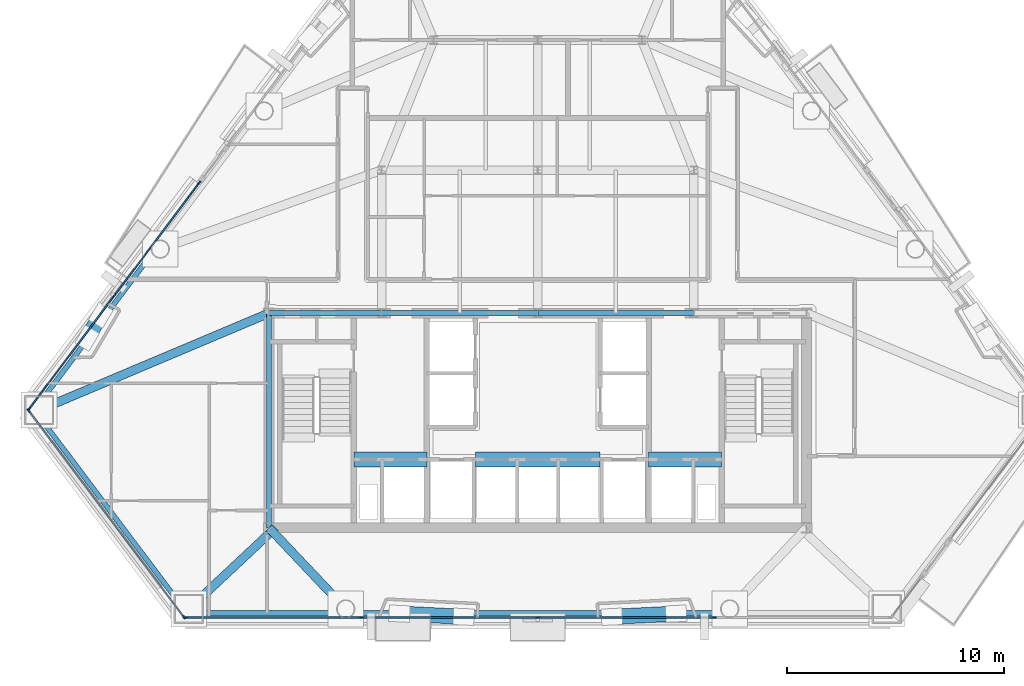
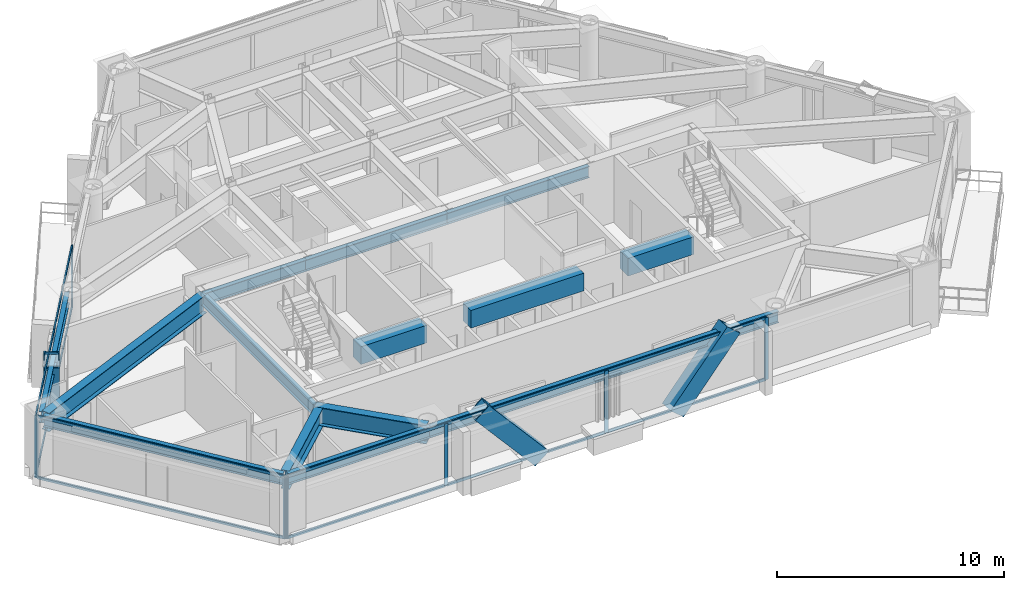
# One storey, part 2 of 11: 24 members, 14 beams, 3 elements without a shape of their own.
"""IFC4 building model written with IfcOpenShell, lengths in metres."""

from ifc_helpers import new_model, si_unit, direction, frame, origin, origin_2d, place, context, subcontext, project, spatial, rectangle, hollow_rectangle, i_section, extrude, material, layer, layer_set, material_profile, profile_set, type_object, element, aggregate, save


model = new_model("IFC4")

# Units and contexts
model_context = context("Model", 3, precision=1e-05, world=origin(), true_north=direction((0.0, 1.0)))
body_context = subcontext(model_context, "Body", "Model", "MODEL_VIEW")
ifc_project = project(units=[si_unit("LENGTHUNIT", "METRE"), si_unit("AREAUNIT", "SQUARE_METRE"), si_unit("VOLUMEUNIT", "CUBIC_METRE"), si_unit("PLANEANGLEUNIT", "RADIAN"), si_unit("MASSUNIT", "GRAM", prefix="KILO")], contexts=[model_context])

# Site, building, storey
site_placement = place(None, origin())
site = spatial("IfcSite", under=ifc_project, at=site_placement, CompositionType="ELEMENT")
building_placement = place(site_placement, origin())
building = spatial("IfcBuilding", under=site, at=building_placement, Name="Talgorran Terracotta Tower", CompositionType="ELEMENT")
storey_placement = place(building_placement, frame((0.0, 0.0, 79.199951171875)))
storey = spatial("IfcBuildingStorey", under=building, at=storey_placement, Name="L20", CompositionType="ELEMENT", Elevation=79.199951171875)

# Beams
ifc_material_1 = material(Name="Steel Grade 350 (350L0)", Category="steel")
ifc_material_profile_1 = material_profile(ifc_material_1, i_section(OverallWidth=0.39990234375, OverallDepth=1.0, WebThickness=0.01611328125, FlangeThickness=0.031005859375, at=origin_2d()), Name="1000WB296")
ifc_profile_set_1 = profile_set([ifc_material_profile_1], Name="Steel Grade 350 (350L0)")
beam_type_1 = type_object("IfcBeamType", Name="BM_1000WB296", PredefinedType="BEAM", material=ifc_profile_set_1)
beam_1_placement = place(storey_placement, frame((-8.8564453125, -17.8466796875, 2.85009765625), z_axis=(-0.687137724954, 0.726527182523, 0.0), x_axis=(-0.726527182523, -0.687137724954, 0.0)))
element("IfcBeam", 1, at=beam_1_placement, inside=storey, type_object=beam_type_1, Name="L20 South-West Core Tie Beam", PredefinedType="BEAM", context=body_context, shape_type="SweptSolid", body=[
    extrude(i_section(OverallWidth=0.39990234375, OverallDepth=1.0, WebThickness=0.01611328125, FlangeThickness=0.031005859375, at=origin_2d()), origin(), (0.0, 0.0, 1.0), 5.15673828125),
])
beam_2_placement = place(storey_placement, frame((-16.1025390625, -17.8466796875, 2.85009765625), z_axis=(0.730056378604, 0.683386921194, 0.0), x_axis=(-0.683386921194, 0.730056378604, 0.0)))
element("IfcBeam", 2, at=beam_2_placement, inside=storey, type_object=beam_type_1, Name="L20 Perimeter Step Girder 2", PredefinedType="BEAM", context=body_context, shape_type="SweptSolid", body=[
    extrude(i_section(OverallWidth=0.39990234375, OverallDepth=1.0, WebThickness=0.01611328125, FlangeThickness=0.031005859375, at=origin_2d()), origin(), (0.0, 0.0, 1.0), 5.482421875),
])
beam_3_placement = place(storey_placement, frame((-12.39990234375, -4.199951171875, 2.85009765625), z_axis=(-0.921400833848, -0.388613565619, 0.0), x_axis=(0.388613565619, -0.921400833848, 0.0)))
element("IfcBeam", 3, at=beam_3_placement, inside=storey, type_object=beam_type_1, Name="L20 Floor Girder G17", PredefinedType="BEAM", context=body_context, shape_type="SweptSolid", body=[
    extrude(i_section(OverallWidth=0.39990234375, OverallDepth=1.0, WebThickness=0.01611328125, FlangeThickness=0.031005859375, at=origin_2d()), origin(), (0.0, 0.0, 1.0), 11.510009765625),
])
ifc_material_2 = material(Name="Concrete C65/80", Category="concrete")
ifc_material_profile_2 = material_profile(ifc_material_2, rectangle(XDim=0.699951171875, YDim=0.949951171875, at=origin_2d()), Name="RCCB700X950")
ifc_profile_set_2 = profile_set([ifc_material_profile_2], Name="Concrete C65/80")
beam_type_2 = type_object("IfcBeamType", Name="BM_CB_700X950", PredefinedType="LINTEL", material=ifc_profile_set_2)
beam_4_placement = place(storey_placement, frame((-8.47998046875, -10.949951171875, 2.875), z_axis=(1.0, 0.0, 0.0), x_axis=(0.0, 1.0, 0.0)))
element("IfcBeam", 4, at=beam_4_placement, inside=storey, type_object=beam_type_2, Name="L20 Core Shear-Wall Coupling Beam CB1", PredefinedType="LINTEL", context=body_context, shape_type="SweptSolid", body=[
    extrude(rectangle(XDim=0.699951171875, YDim=0.949951171875, at=origin_2d()), origin(), (0.0, 0.0, 1.0), 3.35986328125),
])
beam_5_placement = place(storey_placement, frame((-2.8798828125, -10.949951171875, 2.875), z_axis=(1.0, 0.0, 0.0), x_axis=(0.0, 1.0, 0.0)))
element("IfcBeam", 5, at=beam_5_placement, inside=storey, type_object=beam_type_2, Name="L20 Core Shear-Wall Coupling Beam CB2", PredefinedType="LINTEL", context=body_context, shape_type="SweptSolid", body=[
    extrude(rectangle(XDim=0.699951171875, YDim=0.949951171875, at=origin_2d()), origin(), (0.0, 0.0, 1.0), 5.759765625),
])
beam_6_placement = place(storey_placement, frame((5.1201171875, -10.949951171875, 2.875), z_axis=(1.0, 0.0, 0.0), x_axis=(0.0, 1.0, 0.0)))
element("IfcBeam", 6, at=beam_6_placement, inside=storey, type_object=beam_type_2, Name="L20 Core Shear-Wall Coupling Beam CB3", PredefinedType="LINTEL", context=body_context, shape_type="SweptSolid", body=[
    extrude(rectangle(XDim=0.699951171875, YDim=0.949951171875, at=origin_2d()), origin(), (0.0, 0.0, 1.0), 3.35986328125),
])
ifc_material_3 = material(Name="Steel S355 (300PLUS)", Category="steel")
ifc_material_profile_3 = material_profile(ifc_material_3, i_section(OverallWidth=0.22900390625, OverallDepth=0.611572265625, WebThickness=0.011962890625, FlangeThickness=0.01953125, at=origin_2d()), Name="610UB125")
ifc_profile_set_3 = profile_set([ifc_material_profile_3], Name="Steel S355 (300PLUS)")
beam_type_3 = type_object("IfcBeamType", Name="BM_SP_610UB125", PredefinedType="SPANDREL", material=ifc_profile_set_3)
beam_7_placement = place(storey_placement, frame((-23.14892578125, -8.781005859375, 3.044189453125), z_axis=(0.601237780209, -0.799070166913, 0.0), x_axis=(0.799070166913, 0.601237780209, 0.0)))
element("IfcBeam", 7, at=beam_7_placement, inside=storey, type_object=beam_type_3, Name="L20 Perimeter Spandrel Beam MC1-MC2", PredefinedType="SPANDREL", context=body_context, shape_type="SweptSolid", body=[
    extrude(i_section(OverallWidth=0.22900390625, OverallDepth=0.611572265625, WebThickness=0.011962890625, FlangeThickness=0.01953125, at=origin_2d()), origin(), (0.0, 0.0, 1.0), 11.480712890625),
])
beam_8_placement = place(storey_placement, frame((-16.1025390625, -18.026611328125, 3.044189453125), z_axis=(1.0, 0.0, 0.0), x_axis=(0.0, 1.0, 0.0)))
element("IfcBeam", 8, at=beam_8_placement, inside=storey, type_object=beam_type_3, Name="L20 Perimeter Spandrel Beam MC2-FC1", PredefinedType="SPANDREL", context=body_context, shape_type="SweptSolid", body=[
    extrude(i_section(OverallWidth=0.22900390625, OverallDepth=0.611572265625, WebThickness=0.011962890625, FlangeThickness=0.01953125, at=origin_2d()), origin(), (0.0, 0.0, 1.0), 7.24609375),
])
beam_9_placement = place(storey_placement, frame((-8.8564453125, -18.026611328125, 3.044189453125), z_axis=(1.0, 0.0, 0.0), x_axis=(0.0, 1.0, 0.0)))
element("IfcBeam", 9, at=beam_9_placement, inside=storey, type_object=beam_type_3, Name="L20 Perimeter Spandrel Beam FC1-FC2", PredefinedType="SPANDREL", context=body_context, shape_type="SweptSolid", body=[
    extrude(i_section(OverallWidth=0.22900390625, OverallDepth=0.611572265625, WebThickness=0.011962890625, FlangeThickness=0.01953125, at=origin_2d()), origin(), (0.0, 0.0, 1.0), 17.712890625),
])
beam_10_placement = place(storey_placement, frame((-17.559326171875, -1.135498046875, 3.044189453125), z_axis=(-0.601217758064, -0.799085231617, 0.0), x_axis=(0.799085231617, -0.601217758064, 0.0)))
element("IfcBeam", 10, at=beam_10_placement, inside=storey, type_object=beam_type_3, Name="L20 Perimeter Spandrel Beam FC6-MC1", PredefinedType="SPANDREL", context=body_context, shape_type="SweptSolid", body=[
    extrude(i_section(OverallWidth=0.22900390625, OverallDepth=0.611572265625, WebThickness=0.011962890625, FlangeThickness=0.01953125, at=origin_2d()), origin(), (0.0, 0.0, 1.0), 9.297119140625),
])
beam_11_placement = place(storey_placement, frame((-12.39990234375, -14.10009765625, 3.044189453125), z_axis=(0.0, 1.0, 0.0), x_axis=(-1.0, 0.0, 0.0)))
element("IfcBeam", 11, at=beam_11_placement, inside=storey, type_object=beam_type_3, Name="L20 Core Frame Beam CFW", PredefinedType="SPANDREL", context=body_context, shape_type="SweptSolid", body=[
    extrude(i_section(OverallWidth=0.22900390625, OverallDepth=0.611572265625, WebThickness=0.011962890625, FlangeThickness=0.01953125, at=origin_2d()), origin(), (0.0, 0.0, 1.0), 9.900146484375),
])
beam_12_placement = place(storey_placement, frame((-12.39990234375, -4.199951171875, 3.044189453125), z_axis=(1.0, 0.0, 0.0), x_axis=(0.0, 1.0, 0.0)))
element("IfcBeam", 12, at=beam_12_placement, inside=storey, type_object=beam_type_3, Name="L20 Core Frame Beam CFN1", PredefinedType="SPANDREL", context=body_context, shape_type="SweptSolid", body=[
    extrude(i_section(OverallWidth=0.22900390625, OverallDepth=0.611572265625, WebThickness=0.011962890625, FlangeThickness=0.01953125, at=origin_2d()), origin(), (0.0, 0.0, 1.0), 5.199951171875),
])
for number, where, z_axis, x_axis, name in (
    (13, (-7.199951171875, -4.199951171875, 3.044189453125), (1.0, 0.0, 0.0), (0.0, 1.0, 0.0), "L20 Core Frame Beam CFN2"),
    (14, (0.0, -4.199951171875, 3.044189453125), (1.0, 0.0, 0.0), (0.0, 1.0, 0.0), "L20 Core Frame Beam CFN3"),
):
    element("IfcBeam", number, at=place(storey_placement, frame(where, z_axis=z_axis, x_axis=x_axis)), inside=storey, type_object=beam_type_3, Name=name, PredefinedType="SPANDREL", context=body_context, shape_type="SweptSolid", body=[
        extrude(i_section(OverallWidth=0.22900390625, OverallDepth=0.611572265625, WebThickness=0.011962890625, FlangeThickness=0.01953125, at=origin_2d()), origin(), (0.0, 0.0, 1.0), 7.199951171875),
    ])

# Members
ifc_material_profile_4 = material_profile(ifc_material_1, hollow_rectangle(XDim=0.699951171875, YDim=0.89990234375, WallThickness=0.050048828125, at=origin_2d()), Name="WBOX900X700X50")
ifc_profile_set_4 = profile_set([ifc_material_profile_4], Name="Steel Grade 350 (350L0)")
member_type_1 = type_object("IfcMemberType", Name="MB_MEGA_900", PredefinedType="BRACE", material=ifc_profile_set_4)
for number, where, z_axis, x_axis, name in (
    (15, (-3.419189453125, -18.206787109375, -0.02490234375), (-0.656594525664, 0.032034280468, 0.75356315843), (-0.048730565394, -0.998811960279, 0.0), "L20 Exterior Face Mega-Brace MB-1 (SWF)"),
    (16, (3.419189453125, -18.206787109375, -0.02490234375), (0.656594525664, 0.032034280468, 0.75356315843), (-0.048730565394, 0.998811960279, 0.0), "L20 Exterior Face Mega-Brace MB-1 (SEF)"),
):
    element("IfcMember", number, at=place(storey_placement, frame(where, z_axis=z_axis, x_axis=x_axis)), inside=storey, type_object=member_type_1, Name=name, PredefinedType="BRACE", context=body_context, shape_type="SweptSolid", body=[
        extrude(hollow_rectangle(XDim=0.699951171875, YDim=0.89990234375, WallThickness=0.050048828125, at=origin_2d()), origin(), (0.0, 0.0, 1.0), 4.51171875),
    ])
member_1_placement = place(storey_placement, frame((-20.15869140625, -4.291015625, -0.02490234375), z_axis=(-0.174191744424, -0.29378406179, 0.939866033652), x_axis=(0.860166325629, -0.510013619676, 0.0)))
element("IfcMember", 17, at=member_1_placement, inside=storey, type_object=member_type_1, Name="L20 Exterior Face Mega-Brace MB-1 (NWL)", PredefinedType="BRACE", context=body_context, shape_type="SweptSolid", body=[
    extrude(hollow_rectangle(XDim=0.699951171875, YDim=0.89990234375, WallThickness=0.050048828125, at=origin_2d()), origin(), (0.0, 0.0, 1.0), 3.617431640625),
])

# Curtain wall, members
ifc_material_4 = material(Name="Unitised Low-E Double Glazing", Category="glass")
ifc_layer = layer(ifc_material_4, 0.199951171875, Name="CW_SYS2_RES_LOW")
ifc_layer_set = layer_set([ifc_layer], Name="Unitised Low-E Double Glazing")
curtain_wall_type = type_object("IfcCurtainWallType", Name="CW_SYS2_RES_LOW", PredefinedType="NOTDEFINED", material=ifc_layer_set)
curtain_wall_1_placement = place(storey_placement, origin())
curtain_wall_1 = element("IfcCurtainWall", 18, at=curtain_wall_1_placement, inside=storey, type_object=curtain_wall_type, Name="CW-L20-F0", PredefinedType="NOTDEFINED")
ifc_material_5 = material(Name="Architectural Aluminium 6063-T6", Category="aluminium")
ifc_material_profile_5 = material_profile(ifc_material_5, rectangle(XDim=0.06494140625, YDim=0.18505859375, at=origin_2d()), Name="CWM65X185")
ifc_profile_set_5 = profile_set([ifc_material_profile_5], Name="Architectural Aluminium 6063-T6")
member_type_2 = type_object("IfcMemberType", Name="MUL_65X185", PredefinedType="MULLION", material=ifc_profile_set_5)
member_2_placement = place(storey_placement, frame((-23.486328125, -8.69873046875, 0.0), z_axis=(0.0, 0.0, 1.0), x_axis=(0.799066585102, 0.601242540556, 0.0)))
member_2 = element("IfcMember", 19, at=member_2_placement, type_object=member_type_2, Name="CW-L20-0 mullion 1", PredefinedType="MULLION", context=body_context, shape_type="SweptSolid", body=[
    extrude(rectangle(XDim=0.06494140625, YDim=0.18505859375, at=origin_2d()), origin(), (0.0, 0.0, 1.0), 3.35009765625),
])
member_3_placement = place(storey_placement, frame((-16.321533203125, -18.220703125, 0.0), z_axis=(0.0, 0.0, 1.0), x_axis=(0.799066585102, 0.601242540556, 0.0)))
member_3 = element("IfcMember", 20, at=member_3_placement, type_object=member_type_2, Name="CW-L20-0 mullion 2", PredefinedType="MULLION", context=body_context, shape_type="SweptSolid", body=[
    extrude(rectangle(XDim=0.06494140625, YDim=0.18505859375, at=origin_2d()), origin(), (0.0, 0.0, 1.0), 3.35009765625),
])

curtain_wall_2_placement = place(storey_placement, origin())
curtain_wall_2 = element("IfcCurtainWall", 21, at=curtain_wall_2_placement, inside=storey, type_object=curtain_wall_type, Name="CW-L20-F1", PredefinedType="NOTDEFINED")
member_4_placement = place(storey_placement, frame((-16.26953125, -18.24658203125, 0.0), z_axis=(0.0, 0.0, 1.0), x_axis=(0.0, 1.0, 0.0)))
member_4 = element("IfcMember", 22, at=member_4_placement, type_object=member_type_2, Name="CW-L20-1 mullion 1", PredefinedType="MULLION", context=body_context, shape_type="SweptSolid", body=[
    extrude(rectangle(XDim=0.06494140625, YDim=0.18505859375, at=origin_2d()), origin(), (0.0, 0.0, 1.0), 3.35009765625),
])
member_5_placement = place(storey_placement, frame((-8.151123046875, -18.24658203125, 0.0), z_axis=(0.0, 0.0, 1.0), x_axis=(0.0, 1.0, 0.0)))
member_5 = element("IfcMember", 23, at=member_5_placement, type_object=member_type_2, Name="CW-L20-1 mullion 2", PredefinedType="MULLION", context=body_context, shape_type="SweptSolid", body=[
    extrude(rectangle(XDim=0.06494140625, YDim=0.18505859375, at=origin_2d()), origin(), (0.0, 0.0, 1.0), 3.35009765625),
])
member_6_placement = place(storey_placement, frame((0.0, -18.24658203125, 0.0), z_axis=(0.0, 0.0, 1.0), x_axis=(0.0, 1.0, 0.0)))
member_6 = element("IfcMember", 24, at=member_6_placement, type_object=member_type_2, Name="CW-L20-1 mullion 3", PredefinedType="MULLION", context=body_context, shape_type="SweptSolid", body=[
    extrude(rectangle(XDim=0.06494140625, YDim=0.18505859375, at=origin_2d()), origin(), (0.0, 0.0, 1.0), 3.35009765625),
])
member_7_placement = place(storey_placement, frame((8.151123046875, -18.24658203125, 0.0), z_axis=(0.0, 0.0, 1.0), x_axis=(0.0, 1.0, 0.0)))
member_7 = element("IfcMember", 25, at=member_7_placement, type_object=member_type_2, Name="CW-L20-1 mullion 4", PredefinedType="MULLION", context=body_context, shape_type="SweptSolid", body=[
    extrude(rectangle(XDim=0.06494140625, YDim=0.18505859375, at=origin_2d()), origin(), (0.0, 0.0, 1.0), 3.35009765625),
])

curtain_wall_3_placement = place(storey_placement, origin())
curtain_wall_3 = element("IfcCurtainWall", 26, at=curtain_wall_3_placement, inside=storey, type_object=curtain_wall_type, Name="CW-L20-F61", PredefinedType="NOTDEFINED")
member_8_placement = place(storey_placement, frame((-15.6162109375, 1.812744140625, 0.0), z_axis=(0.0, 0.0, 1.0), x_axis=(0.799063887068, -0.601246126294, 0.0)))
member_8 = element("IfcMember", 27, at=member_8_placement, type_object=member_type_2, Name="CW-L20-61 mullion 1", PredefinedType="MULLION", context=body_context, shape_type="SweptSolid", body=[
    extrude(rectangle(XDim=0.06494140625, YDim=0.18505859375, at=origin_2d()), origin(), (0.0, 0.0, 1.0), 3.35009765625),
])
member_9_placement = place(storey_placement, frame((-19.539306640625, -3.401123046875, 0.0), z_axis=(0.0, 0.0, 1.0), x_axis=(0.799063887068, -0.601246126294, 0.0)))
member_9 = element("IfcMember", 28, at=member_9_placement, type_object=member_type_2, Name="CW-L20-61 mullion 2", PredefinedType="MULLION", context=body_context, shape_type="SweptSolid", body=[
    extrude(rectangle(XDim=0.06494140625, YDim=0.18505859375, at=origin_2d()), origin(), (0.0, 0.0, 1.0), 3.35009765625),
])
member_10_placement = place(storey_placement, frame((-23.462158203125, -8.61474609375, 0.0), z_axis=(0.0, 0.0, 1.0), x_axis=(0.799063887068, -0.601246126294, 0.0)))
member_10 = element("IfcMember", 29, at=member_10_placement, type_object=member_type_2, Name="CW-L20-61 mullion 3", PredefinedType="MULLION", context=body_context, shape_type="SweptSolid", body=[
    extrude(rectangle(XDim=0.06494140625, YDim=0.18505859375, at=origin_2d()), origin(), (0.0, 0.0, 1.0), 3.35009765625),
])

# Member
ifc_material_profile_6 = material_profile(ifc_material_5, rectangle(XDim=0.06494140625, YDim=0.14990234375, at=origin_2d()), Name="CWT65X150")
ifc_profile_set_6 = profile_set([ifc_material_profile_6], Name="Architectural Aluminium 6063-T6")
member_type_3 = type_object("IfcMemberType", Name="TRN_65X150", PredefinedType="USERDEFINED", material=ifc_profile_set_6)
member_11_placement = place(storey_placement, frame((-23.466796875, -8.724853515625, 0.032470703125), z_axis=(0.601255042724, -0.799057177929, 0.0), x_axis=(0.799057177929, 0.601255042724, 0.0)))
member_11 = element("IfcMember", 30, at=member_11_placement, type_object=member_type_3, Name="CW-L20-0 transom 1.1", ObjectType="TRANSOM", PredefinedType="USERDEFINED", context=body_context, shape_type="SweptSolid", body=[
    extrude(rectangle(XDim=0.06494140625, YDim=0.14990234375, at=origin_2d()), origin(), (0.0, 0.0, 1.0), 11.851318359375),
])

member_12_placement = place(storey_placement, frame((-23.466796875, -8.724853515625, 3.317626953125), z_axis=(0.601255042724, -0.799057177929, 0.0), x_axis=(0.799057177929, 0.601255042724, 0.0)))
member_12 = element("IfcMember", 31, at=member_12_placement, type_object=member_type_3, Name="CW-L20-0 transom 1.2", ObjectType="TRANSOM", PredefinedType="USERDEFINED", context=body_context, shape_type="SweptSolid", body=[
    extrude(rectangle(XDim=0.06494140625, YDim=0.14990234375, at=origin_2d()), origin(), (0.0, 0.0, 1.0), 11.851318359375),
])

aggregate(curtain_wall_1, [member_2, member_3, member_11, member_12])

member_13_placement = place(storey_placement, frame((-16.237060546875, -18.24658203125, 0.032470703125), z_axis=(1.0, 0.0, 0.0), x_axis=(0.0, 1.0, 0.0)))
member_13 = element("IfcMember", 32, at=member_13_placement, type_object=member_type_3, Name="CW-L20-1 transom 1.1", ObjectType="TRANSOM", PredefinedType="USERDEFINED", context=body_context, shape_type="SweptSolid", body=[
    extrude(rectangle(XDim=0.06494140625, YDim=0.14990234375, at=origin_2d()), origin(), (0.0, 0.0, 1.0), 8.053466796875),
])

member_14_placement = place(storey_placement, frame((-16.237060546875, -18.24658203125, 3.317626953125), z_axis=(1.0, 0.0, 0.0), x_axis=(0.0, 1.0, 0.0)))
member_14 = element("IfcMember", 33, at=member_14_placement, type_object=member_type_3, Name="CW-L20-1 transom 1.2", ObjectType="TRANSOM", PredefinedType="USERDEFINED", context=body_context, shape_type="SweptSolid", body=[
    extrude(rectangle(XDim=0.06494140625, YDim=0.14990234375, at=origin_2d()), origin(), (0.0, 0.0, 1.0), 8.053466796875),
])

member_15_placement = place(storey_placement, frame((-8.11865234375, -18.24658203125, 0.032470703125), z_axis=(1.0, 0.0, 0.0), x_axis=(0.0, 1.0, 0.0)))
member_15 = element("IfcMember", 34, at=member_15_placement, type_object=member_type_3, Name="CW-L20-1 transom 2.1", ObjectType="TRANSOM", PredefinedType="USERDEFINED", context=body_context, shape_type="SweptSolid", body=[
    extrude(rectangle(XDim=0.06494140625, YDim=0.14990234375, at=origin_2d()), origin(), (0.0, 0.0, 1.0), 8.086181640625),
])

member_16_placement = place(storey_placement, frame((-8.11865234375, -18.24658203125, 3.317626953125), z_axis=(1.0, 0.0, 0.0), x_axis=(0.0, 1.0, 0.0)))
member_16 = element("IfcMember", 35, at=member_16_placement, type_object=member_type_3, Name="CW-L20-1 transom 2.2", ObjectType="TRANSOM", PredefinedType="USERDEFINED", context=body_context, shape_type="SweptSolid", body=[
    extrude(rectangle(XDim=0.06494140625, YDim=0.14990234375, at=origin_2d()), origin(), (0.0, 0.0, 1.0), 8.086181640625),
])

member_17_placement = place(storey_placement, frame((0.032470703125, -18.24658203125, 0.032470703125), z_axis=(1.0, 0.0, 0.0), x_axis=(0.0, 1.0, 0.0)))
member_17 = element("IfcMember", 36, at=member_17_placement, type_object=member_type_3, Name="CW-L20-1 transom 3.1", ObjectType="TRANSOM", PredefinedType="USERDEFINED", context=body_context, shape_type="SweptSolid", body=[
    extrude(rectangle(XDim=0.06494140625, YDim=0.14990234375, at=origin_2d()), origin(), (0.0, 0.0, 1.0), 8.086181640625),
])

member_18_placement = place(storey_placement, frame((0.032470703125, -18.24658203125, 3.317626953125), z_axis=(1.0, 0.0, 0.0), x_axis=(0.0, 1.0, 0.0)))
member_18 = element("IfcMember", 37, at=member_18_placement, type_object=member_type_3, Name="CW-L20-1 transom 3.2", ObjectType="TRANSOM", PredefinedType="USERDEFINED", context=body_context, shape_type="SweptSolid", body=[
    extrude(rectangle(XDim=0.06494140625, YDim=0.14990234375, at=origin_2d()), origin(), (0.0, 0.0, 1.0), 8.086181640625),
])

aggregate(curtain_wall_2, [member_4, member_5, member_6, member_7, member_13, member_14, member_15, member_16, member_17, member_18])

member_19_placement = place(storey_placement, frame((-15.6357421875, 1.78662109375, 0.032470703125), z_axis=(-0.601250974183, -0.799060239308, 0.0), x_axis=(0.799060239308, -0.601250974183, 0.0)))
member_19 = element("IfcMember", 38, at=member_19_placement, type_object=member_type_3, Name="CW-L20-61 transom 1.1", ObjectType="TRANSOM", PredefinedType="USERDEFINED", context=body_context, shape_type="SweptSolid", body=[
    extrude(rectangle(XDim=0.06494140625, YDim=0.14990234375, at=origin_2d()), origin(), (0.0, 0.0, 1.0), 6.4599609375),
])

member_20_placement = place(storey_placement, frame((-15.6357421875, 1.78662109375, 3.317626953125), z_axis=(-0.601250974183, -0.799060239308, 0.0), x_axis=(0.799060239308, -0.601250974183, 0.0)))
member_20 = element("IfcMember", 39, at=member_20_placement, type_object=member_type_3, Name="CW-L20-61 transom 1.2", ObjectType="TRANSOM", PredefinedType="USERDEFINED", context=body_context, shape_type="SweptSolid", body=[
    extrude(rectangle(XDim=0.06494140625, YDim=0.14990234375, at=origin_2d()), origin(), (0.0, 0.0, 1.0), 6.4599609375),
])

member_21_placement = place(storey_placement, frame((-19.558837890625, -3.427001953125, 0.032470703125), z_axis=(-0.601226842548, -0.799078396529, 0.0), x_axis=(0.799078396529, -0.601226842548, 0.0)))
member_21 = element("IfcMember", 40, at=member_21_placement, type_object=member_type_3, Name="CW-L20-61 transom 2.1", ObjectType="TRANSOM", PredefinedType="USERDEFINED", context=body_context, shape_type="SweptSolid", body=[
    extrude(rectangle(XDim=0.06494140625, YDim=0.14990234375, at=origin_2d()), origin(), (0.0, 0.0, 1.0), 6.459716796875),
])

member_22_placement = place(storey_placement, frame((-19.558837890625, -3.427001953125, 3.317626953125), z_axis=(-0.601226842548, -0.799078396529, 0.0), x_axis=(0.799078396529, -0.601226842548, 0.0)))
member_22 = element("IfcMember", 41, at=member_22_placement, type_object=member_type_3, Name="CW-L20-61 transom 2.2", ObjectType="TRANSOM", PredefinedType="USERDEFINED", context=body_context, shape_type="SweptSolid", body=[
    extrude(rectangle(XDim=0.06494140625, YDim=0.14990234375, at=origin_2d()), origin(), (0.0, 0.0, 1.0), 6.459716796875),
])

aggregate(curtain_wall_3, [member_8, member_9, member_10, member_19, member_20, member_21, member_22])

save(model, "model.ifc")
